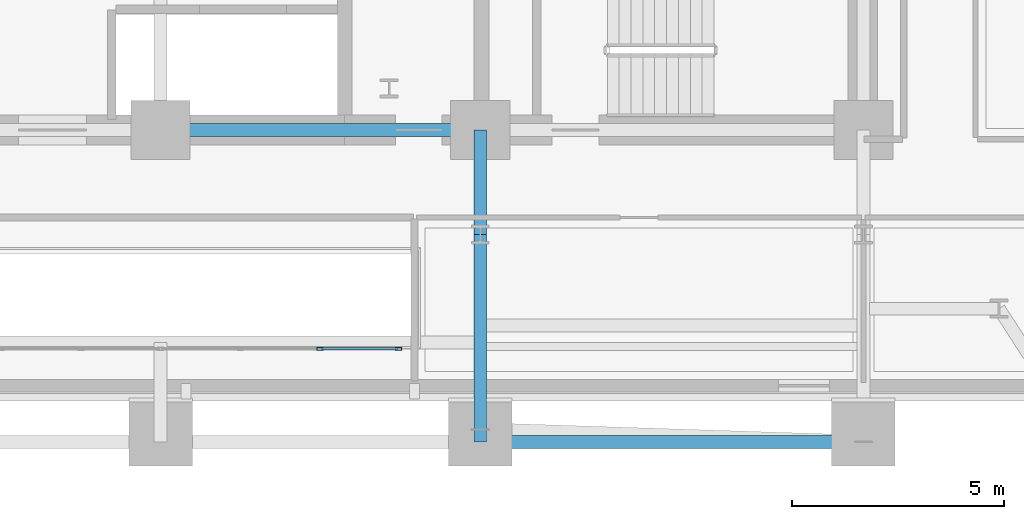
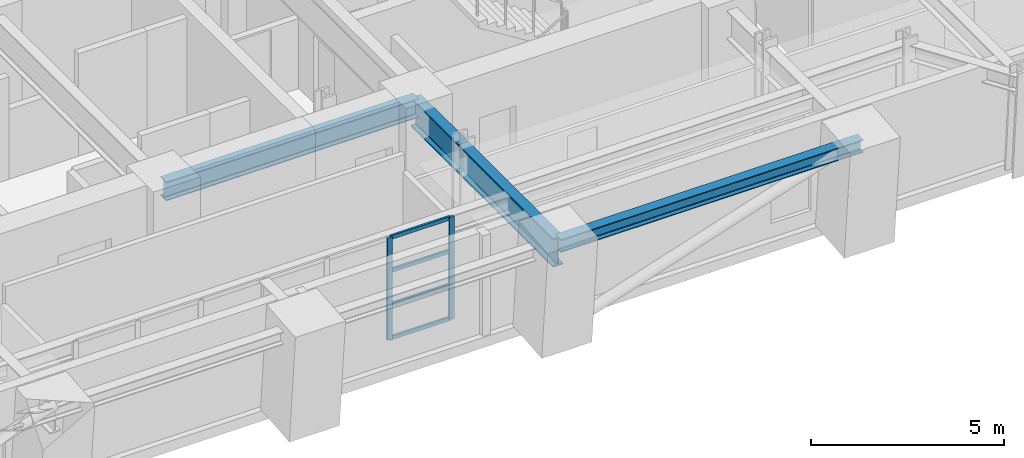
# One storey, part 5 of 14: 6 members, 4 beams, 1 element without a shape of its own.
"""IFC4 building model written with IfcOpenShell, lengths in metres."""

from ifc_helpers import new_model, si_unit, direction, frame, origin, origin_2d, place, context, subcontext, project, spatial, hollow_rectangle, i_section, extrude, material, layer, layer_set, material_profile, profile_set, type_object, element, aggregate, save


model = new_model("IFC4")

# Units and contexts
model_context = context("Model", 3, precision=1e-05, world=origin(), true_north=direction((0.0, 1.0)))
body_context = subcontext(model_context, "Body", "Model", "MODEL_VIEW")
ifc_project = project(units=[si_unit("LENGTHUNIT", "METRE"), si_unit("AREAUNIT", "SQUARE_METRE"), si_unit("VOLUMEUNIT", "CUBIC_METRE"), si_unit("PLANEANGLEUNIT", "RADIAN"), si_unit("MASSUNIT", "GRAM", prefix="KILO")], contexts=[model_context])

# Site, building, storey
site_placement = place(None, origin())
site = spatial("IfcSite", under=ifc_project, at=site_placement, CompositionType="ELEMENT")
building_placement = place(site_placement, origin())
building = spatial("IfcBuilding", under=site, at=building_placement, Name="Zarnavel Station Tower", CompositionType="ELEMENT")
storey_placement = place(building_placement, frame((0.0, 0.0, 60.5)))
storey = spatial("IfcBuildingStorey", under=building, at=storey_placement, Name="L16", CompositionType="ELEMENT", Elevation=60.5)

# Curtain wall, members
ifc_material_1 = material(Name="Aluminium Dark Anodised and Solar-Control Glass", Category="aluminium")
ifc_layer = layer(ifc_material_1, 0.179931640625)
ifc_layer_set = layer_set([ifc_layer], Name="CWS2")
curtain_wall_type = type_object("IfcCurtainWallType", Name="CWS2", PredefinedType="NOTDEFINED", material=ifc_layer_set)
curtain_wall_placement = place(storey_placement, origin())
curtain_wall = element("IfcCurtainWall", 1, at=curtain_wall_placement, inside=storey, type_object=curtain_wall_type, Name="L16 Curtain Wall CWS2-L16-AS", PredefinedType="NOTDEFINED")
ifc_material_2 = material(Name="Steel S355J2 (Black Fluoropolymer Coated)", Category="steel")
ifc_material_profile_1 = material_profile(ifc_material_2, hollow_rectangle(XDim=0.074951171875, YDim=0.14990234375, WallThickness=0.00634765625, at=origin_2d()), Name="RHS150x75x6.3")
ifc_profile_set_1 = profile_set([ifc_material_profile_1], Name="Steel S355J2 (Black Fluoropolymer Coated)")
member_type_1 = type_object("IfcMemberType", Name="CWS2_MUL", PredefinedType="MULLION", material=ifc_profile_set_1)
member_1_placement = place(storey_placement, frame((32.566650390625, 22.64990234375, 0.0), z_axis=(0.0, 0.0, 1.0), x_axis=(0.0, 1.0, 0.0)))
member_1 = element("IfcMember", 2, at=member_1_placement, type_object=member_type_1, Name="CW2 mullion 6", PredefinedType="MULLION", context=body_context, shape_type="SweptSolid", body=[
    extrude(hollow_rectangle(XDim=0.074951171875, YDim=0.14990234375, WallThickness=0.00634765625, at=origin_2d()), origin(), (0.0, 0.0, 1.0), 3.239990234375),
])
member_2_placement = place(storey_placement, frame((34.419921875, 22.64990234375, 0.0), z_axis=(0.0, 0.0, 1.0), x_axis=(0.0, 1.0, 0.0)))
member_2 = element("IfcMember", 3, at=member_2_placement, type_object=member_type_1, Name="CW2 mullion 7", PredefinedType="MULLION", context=body_context, shape_type="SweptSolid", body=[
    extrude(hollow_rectangle(XDim=0.074951171875, YDim=0.14990234375, WallThickness=0.00634765625, at=origin_2d()), origin(), (0.0, 0.0, 1.0), 3.239990234375),
])
ifc_material_3 = material(Name="Steel S355J2 (Black Fluoropolymer Coated)", Category="steel")
ifc_material_profile_2 = material_profile(ifc_material_3, hollow_rectangle(XDim=0.06005859375, YDim=0.1201171875, WallThickness=0.0048828125, at=origin_2d()), Name="RHS120x60x5")
ifc_profile_set_2 = profile_set([ifc_material_profile_2], Name="Steel S355J2 (Black Fluoropolymer Coated)")
member_type_2 = type_object("IfcMemberType", Name="CWS2_TRN", PredefinedType="USERDEFINED", material=ifc_profile_set_2)
member_3_placement = place(storey_placement, frame((32.5966796875, 22.64990234375, 0.030029296875), z_axis=(1.0, 0.0, 0.0), x_axis=(0.0, 1.0, 0.0)))
member_3 = element("IfcMember", 4, at=member_3_placement, type_object=member_type_2, Name="CW2 transom 6.1", ObjectType="TRANSOM", PredefinedType="USERDEFINED", context=body_context, shape_type="SweptSolid", body=[
    extrude(hollow_rectangle(XDim=0.06005859375, YDim=0.1201171875, WallThickness=0.0048828125, at=origin_2d()), origin(), (0.0, 0.0, 1.0), 1.793212890625),
])
member_4_placement = place(storey_placement, frame((32.5966796875, 22.64990234375, 1.080078125), z_axis=(1.0, 0.0, 0.0), x_axis=(0.0, 1.0, 0.0)))
member_4 = element("IfcMember", 5, at=member_4_placement, type_object=member_type_2, Name="CW2 transom 6.2", ObjectType="TRANSOM", PredefinedType="USERDEFINED", context=body_context, shape_type="SweptSolid", body=[
    extrude(hollow_rectangle(XDim=0.06005859375, YDim=0.1201171875, WallThickness=0.0048828125, at=origin_2d()), origin(), (0.0, 0.0, 1.0), 1.793212890625),
])
member_5_placement = place(storey_placement, frame((32.5966796875, 22.64990234375, 2.159912109375), z_axis=(1.0, 0.0, 0.0), x_axis=(0.0, 1.0, 0.0)))
member_5 = element("IfcMember", 6, at=member_5_placement, type_object=member_type_2, Name="CW2 transom 6.3", ObjectType="TRANSOM", PredefinedType="USERDEFINED", context=body_context, shape_type="SweptSolid", body=[
    extrude(hollow_rectangle(XDim=0.06005859375, YDim=0.1201171875, WallThickness=0.0048828125, at=origin_2d()), origin(), (0.0, 0.0, 1.0), 1.793212890625),
])
member_6_placement = place(storey_placement, frame((32.5966796875, 22.64990234375, 3.2099609375), z_axis=(1.0, 0.0, 0.0), x_axis=(0.0, 1.0, 0.0)))
member_6 = element("IfcMember", 7, at=member_6_placement, type_object=member_type_2, Name="CW2 transom 6.4", ObjectType="TRANSOM", PredefinedType="USERDEFINED", context=body_context, shape_type="SweptSolid", body=[
    extrude(hollow_rectangle(XDim=0.06005859375, YDim=0.1201171875, WallThickness=0.0048828125, at=origin_2d()), origin(), (0.0, 0.0, 1.0), 1.793212890625),
])
aggregate(curtain_wall, [member_1, member_2, member_3, member_4, member_5, member_6])

# Beams
ifc_material_4 = material(Name="Steel S355J2", Category="steel")
ifc_material_profile_3 = material_profile(ifc_material_4, i_section(OverallWidth=0.300048828125, OverallDepth=0.39990234375, WebThickness=0.013427734375, FlangeThickness=0.02392578125, FilletRadius=0.027099609375, at=origin_2d()), Name="HEB400")
ifc_profile_set_3 = profile_set([ifc_material_profile_3], Name="Steel S355J2")
beam_type_1 = type_object("IfcBeamType", Name="EB_HEB400", PredefinedType="SPANDREL", material=ifc_profile_set_3)
beam_1_placement = place(storey_placement, frame((36.35009765625, 20.451904296875, 3.0400390625), z_axis=(1.0, 0.0, 0.0), x_axis=(0.0, 1.0, 0.0)))
element("IfcBeam", 8, at=beam_1_placement, inside=storey, type_object=beam_type_1, Name="L16 South Raked Spandrel 4", PredefinedType="SPANDREL", context=body_context, shape_type="SweptSolid", body=[
    extrude(i_section(OverallWidth=0.300048828125, OverallDepth=0.39990234375, WebThickness=0.013427734375, FlangeThickness=0.02392578125, FilletRadius=0.027099609375, at=origin_2d()), origin(), (0.0, 0.0, 1.0), 9.0498046875),
])
ifc_material_5 = material(Name="Steel S355J2", Category="steel")
ifc_material_profile_4 = material_profile(ifc_material_5, i_section(OverallWidth=0.300048828125, OverallDepth=0.60009765625, WebThickness=0.015380859375, FlangeThickness=0.030029296875, FilletRadius=0.027099609375, at=origin_2d()), Name="HEB600")
ifc_profile_set_4 = profile_set([ifc_material_profile_4], Name="Steel S355J2")
beam_type_2 = type_object("IfcBeamType", Name="FG_HEB600", PredefinedType="USERDEFINED", material=ifc_profile_set_4)
beam_2_placement = place(storey_placement, frame((28.800048828125, 27.820068359375, 2.93994140625), z_axis=(1.0, 0.0, 0.0), x_axis=(0.0, 1.0, 0.0)))
element("IfcBeam", 9, at=beam_2_placement, inside=storey, type_object=beam_type_2, Name="L16 Core Front Coupling Beam 3", ObjectType="GIRDER", PredefinedType="USERDEFINED", context=body_context, shape_type="SweptSolid", body=[
    extrude(i_section(OverallWidth=0.300048828125, OverallDepth=0.60009765625, WebThickness=0.015380859375, FlangeThickness=0.030029296875, FilletRadius=0.027099609375, at=origin_2d()), origin(), (0.0, 0.0, 1.0), 7.550048828125),
])
ifc_material_6 = material(Name="Steel S460M", Category="steel")
ifc_material_profile_5 = material_profile(ifc_material_6, i_section(OverallWidth=0.302001953125, OverallDepth=0.909912109375, WebThickness=0.02099609375, FlangeThickness=0.0400390625, FilletRadius=0.030029296875, at=origin_2d()), Name="HEM900")
ifc_profile_set_5 = profile_set([ifc_material_profile_5], Name="Steel S460M")
beam_type_3 = type_object("IfcBeamType", Name="TG_HEM900", PredefinedType="USERDEFINED", material=ifc_profile_set_5)
beam_3_placement = place(storey_placement, frame((36.35009765625, 20.451904296875, 2.784912109375), z_axis=(0.0, 1.0, 0.0), x_axis=(-1.0, 0.0, 0.0)))
element("IfcBeam", 10, at=beam_3_placement, inside=storey, type_object=beam_type_3, Name="L16 South-Zone NS Girder 4", ObjectType="GIRDER", PredefinedType="USERDEFINED", context=body_context, shape_type="SweptSolid", body=[
    extrude(i_section(OverallWidth=0.302001953125, OverallDepth=0.909912109375, WebThickness=0.02099609375, FlangeThickness=0.0400390625, FilletRadius=0.030029296875, at=origin_2d()), origin(), (0.0, 0.0, 1.0), 4.898193359375),
])
beam_4_placement = place(storey_placement, frame((36.35009765625, 25.35009765625, 2.784912109375), z_axis=(0.0, 1.0, 0.0), x_axis=(-1.0, 0.0, 0.0)))
element("IfcBeam", 11, at=beam_4_placement, inside=storey, type_object=beam_type_3, Name="L16 Inner-Zone NS Girder 4", ObjectType="GIRDER", PredefinedType="USERDEFINED", context=body_context, shape_type="SweptSolid", body=[
    extrude(i_section(OverallWidth=0.302001953125, OverallDepth=0.909912109375, WebThickness=0.02099609375, FlangeThickness=0.0400390625, FilletRadius=0.030029296875, at=origin_2d()), origin(), (0.0, 0.0, 1.0), 2.469970703125),
])

save(model, "model.ifc")
